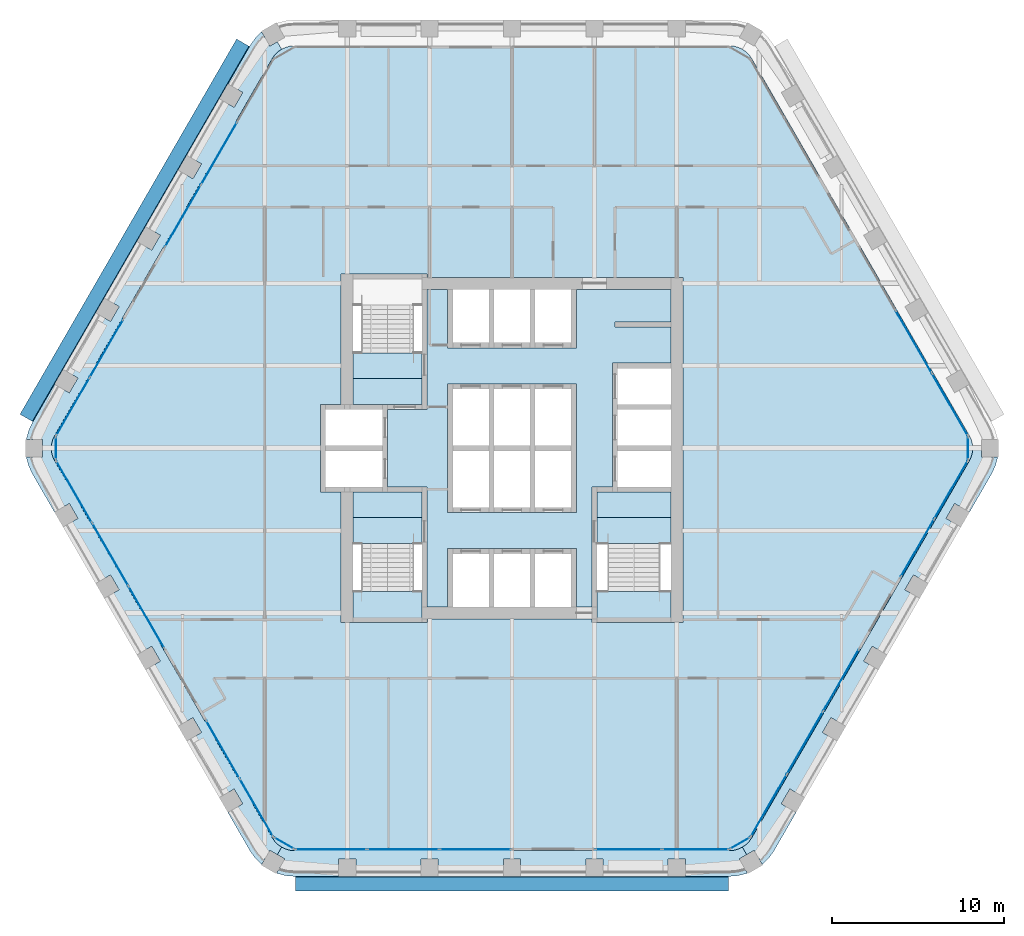
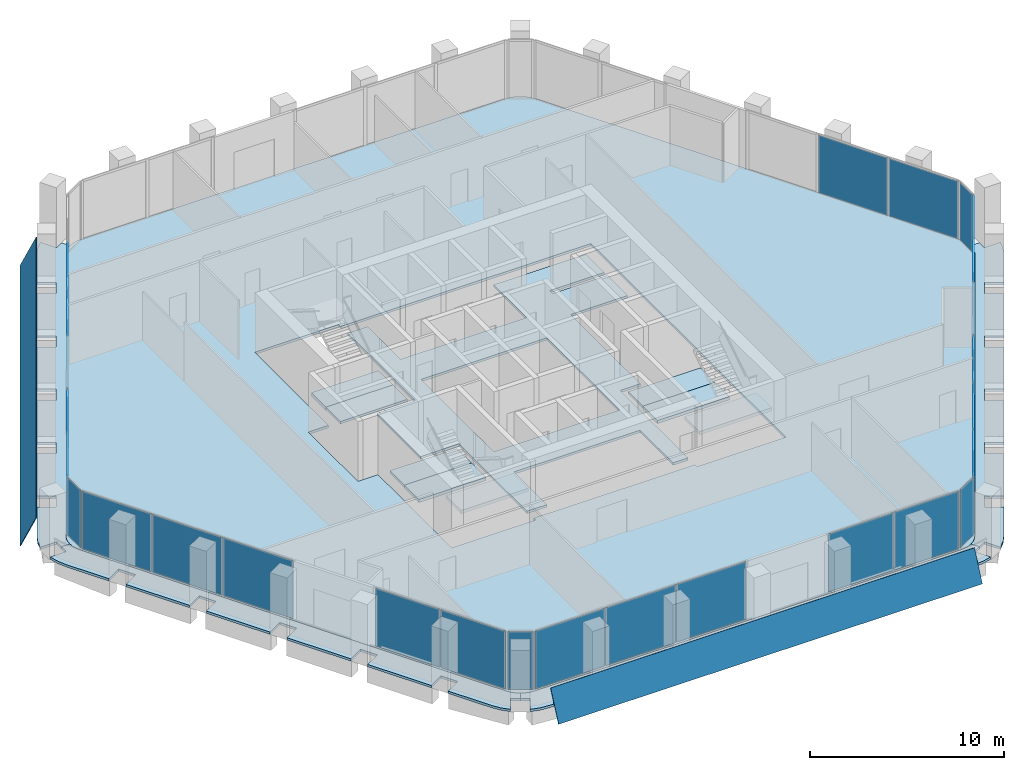
# One storey, part 7 of 15: 27 plates, 14 slabs, 16 elements without a shape of their own.
"""IFC4 building model written with IfcOpenShell, lengths in metres."""

from ifc_helpers import new_model, si_unit, direction, frame, origin, origin_2d, place, context, subcontext, project, spatial, polyline, rectangle, outline, extrude, material, layer, layer_set, type_object, element, aggregate, save


model = new_model("IFC4")

# Units and contexts
model_context = context("Model", 3, precision=1e-05, world=origin(), true_north=direction((0.0, 1.0)))
body_context = subcontext(model_context, "Body", "Model", "MODEL_VIEW")
ifc_project = project(units=[si_unit("LENGTHUNIT", "METRE"), si_unit("AREAUNIT", "SQUARE_METRE"), si_unit("VOLUMEUNIT", "CUBIC_METRE"), si_unit("PLANEANGLEUNIT", "RADIAN"), si_unit("MASSUNIT", "GRAM", prefix="KILO")], contexts=[model_context])

# Site, building, storey
site_placement = place(None, origin())
site = spatial("IfcSite", under=ifc_project, at=site_placement, CompositionType="ELEMENT")
building_placement = place(site_placement, origin())
building = spatial("IfcBuilding", under=site, at=building_placement, Name="Kolab Exchange Tower", CompositionType="ELEMENT")
storey_placement = place(building_placement, frame((0.0, 0.0, 154.39990234375)))
storey = spatial("IfcBuildingStorey", under=building, at=storey_placement, Name="L31", CompositionType="ELEMENT", Elevation=154.39990234375)

# Slabs
ifc_material_1 = material(Name="Concrete C35/45", Category="concrete")
ifc_layer_1 = layer(ifc_material_1, 0.14990234375)
ifc_layer_set_1 = layer_set([ifc_layer_1], Name="Concrete C35/45")
slab_type_1 = type_object("IfcSlabType", Name="FLOOR SLAB 150", PredefinedType="FLOOR", material=ifc_layer_set_1)
slab_1_placement = place(storey_placement, frame((0.0, 0.0, -0.14990234375)))
element("IfcSlab", 1, at=slab_1_placement, inside=storey, type_object=slab_type_1, Name="slab/L31/floor/0", PredefinedType="FLOOR", context=body_context, shape_type="SweptSolid", body=[
    extrude(outline(polyline([(13.967041015625, -22.691650390625), (26.635009765625, -0.75), (26.745361328125, -0.512939453125), (26.81298828125, -0.260498046875), (26.8359375, 0.0), (26.81298828125, 0.260498046875), (26.745361328125, 0.512939453125), (26.635009765625, 0.75), (13.967041015625, 22.691650390625), (13.81689453125, 22.90576171875), (13.632080078125, 23.090576171875), (13.41796875, 23.240478515625), (13.180908203125, 23.35107421875), (12.928466796875, 23.418701171875), (12.66796875, 23.441650390625), (-12.66796875, 23.441650390625), (-12.928466796875, 23.418701171875), (-13.180908203125, 23.35107421875), (-13.41796875, 23.240478515625), (-13.632080078125, 23.090576171875), (-13.81689453125, 22.90576171875), (-13.967041015625, 22.691650390625), (-26.635009765625, 0.75), (-26.745361328125, 0.512939453125), (-26.81298828125, 0.260498046875), (-26.8359375, 0.0), (-26.81298828125, -0.260498046875), (-26.745361328125, -0.512939453125), (-26.635009765625, -0.75), (-13.967041015625, -22.691650390625), (-13.81689453125, -22.90576171875), (-13.632080078125, -23.090576171875), (-13.41796875, -23.240478515625), (-13.180908203125, -23.35107421875), (-12.928466796875, -23.418701171875), (-12.66796875, -23.441650390625), (12.66796875, -23.441650390625), (12.928466796875, -23.418701171875), (13.180908203125, -23.35107421875), (13.41796875, -23.240478515625), (13.632080078125, -23.090576171875), (13.81689453125, -22.90576171875), (13.967041015625, -22.691650390625)]), holes=[polyline([(-9.25, -10.14990234375), (-9.949951171875, -10.14990234375), (-9.949951171875, -2.550048828125), (-10.85009765625, -2.550048828125), (-11.14990234375, -2.550048828125), (-11.14990234375, 2.550048828125), (-10.85009765625, 2.550048828125), (-9.949951171875, 2.550048828125), (-9.949951171875, 10.14990234375), (-9.25, 10.14990234375), (-5.25, 10.14990234375), (-4.949951171875, 10.14990234375), (-4.949951171875, 9.949951171875), (9.25, 9.949951171875), (9.949951171875, 9.949951171875), (9.949951171875, -10.14990234375), (9.25, -10.14990234375), (4.949951171875, -10.14990234375), (4.64990234375, -10.14990234375), (4.64990234375, -9.949951171875), (-4.949951171875, -9.949951171875), (-4.949951171875, -10.14990234375), (-5.25, -10.14990234375), (-9.25, -10.14990234375)])]), origin(), (0.0, 0.0, 1.0), 0.14990234375),
])
slab_2_placement = place(storey_placement, frame((0.0, 0.0, -0.14990234375)))
element("IfcSlab", 2, at=slab_2_placement, inside=storey, type_object=slab_type_1, Name="slab/L31/floor/1", PredefinedType="FLOOR", context=body_context, shape_type="SweptSolid", body=[
    extrude(outline(polyline([(-4.949951171875, 9.25), (-4.949951171875, 2.25), (-5.25, 2.25), (-7.25, 2.25), (-7.25, -2.25), (-5.25, -2.25), (-4.949951171875, -2.25), (-4.949951171875, -9.25), (-3.75, -9.25), (-3.75, -5.85009765625), (-3.449951171875, -5.85009765625), (-1.35009765625, -5.85009765625), (-1.050048828125, -5.85009765625), (1.050048828125, -5.85009765625), (1.35009765625, -5.85009765625), (3.449951171875, -5.85009765625), (3.75, -5.85009765625), (3.75, -9.25), (4.64990234375, -9.25), (4.64990234375, -2.25), (4.949951171875, -2.25), (5.85009765625, -2.25), (5.85009765625, 4.949951171875), (6.14990234375, 4.949951171875), (9.25, 4.949951171875), (9.25, 7.050048828125), (6.0, 7.050048828125), (6.0, 7.35009765625), (9.25, 7.35009765625), (9.25, 9.25), (3.75, 9.25), (3.75, 5.85009765625), (3.449951171875, 5.85009765625), (1.35009765625, 5.85009765625), (1.050048828125, 5.85009765625), (-1.050048828125, 5.85009765625), (-1.35009765625, 5.85009765625), (-3.449951171875, 5.85009765625), (-3.75, 5.85009765625), (-3.75, 9.25), (-4.949951171875, 9.25)]), holes=[polyline([(-3.449951171875, -3.75), (-3.75, -3.75), (-3.75, 3.75), (-3.449951171875, 3.75), (-1.35009765625, 3.75), (-1.050048828125, 3.75), (1.050048828125, 3.75), (1.35009765625, 3.75), (3.449951171875, 3.75), (3.75, 3.75), (3.75, -3.75), (3.449951171875, -3.75), (1.35009765625, -3.75), (1.050048828125, -3.75), (-1.050048828125, -3.75), (-1.35009765625, -3.75), (-3.449951171875, -3.75)])]), origin(), (0.0, 0.0, 1.0), 0.14990234375),
])
slab_3_placement = place(storey_placement, frame((0.0, 0.0, -0.14990234375)))
element("IfcSlab", 3, at=slab_3_placement, inside=storey, type_object=slab_type_1, Name="slab/L31/floor/2", PredefinedType="FLOOR", context=body_context, shape_type="SweptSolid", body=[
    extrude(outline(polyline([(4.949951171875, -4.050048828125), (9.25, -4.050048828125), (9.25, -2.550048828125), (6.14990234375, -2.550048828125), (5.85009765625, -2.550048828125), (4.949951171875, -2.550048828125), (4.949951171875, -4.050048828125)])), origin(), (0.0, 0.0, 1.0), 0.14990234375),
])
slab_4_placement = place(storey_placement, frame((0.0, 0.0, -0.14990234375)))
element("IfcSlab", 4, at=slab_4_placement, inside=storey, type_object=slab_type_1, Name="slab/L31/floor/3", PredefinedType="FLOOR", context=body_context, shape_type="SweptSolid", body=[
    extrude(outline(polyline([(-7.550048828125, -2.550048828125), (-9.25, -2.550048828125), (-9.25, -4.050048828125), (-5.25, -4.050048828125), (-5.25, -2.550048828125), (-7.25, -2.550048828125), (-7.550048828125, -2.550048828125)])), origin(), (0.0, 0.0, 1.0), 0.14990234375),
])
slab_5_placement = place(storey_placement, frame((0.0, 0.0, -0.14990234375)))
element("IfcSlab", 5, at=slab_5_placement, inside=storey, type_object=slab_type_1, Name="slab/L31/floor/4", PredefinedType="FLOOR", context=body_context, shape_type="SweptSolid", body=[
    extrude(outline(polyline([(-9.25, 2.550048828125), (-7.550048828125, 2.550048828125), (-7.25, 2.550048828125), (-5.25, 2.550048828125), (-5.25, 4.050048828125), (-9.25, 4.050048828125), (-9.25, 2.550048828125)])), origin(), (0.0, 0.0, 1.0), 0.14990234375),
])
ifc_layer_2 = layer(ifc_material_1, 0.14990234375)
ifc_layer_set_2 = layer_set([ifc_layer_2], Name="Concrete C35/45")
slab_type_2 = type_object("IfcSlabType", Name="LOGGIA SLAB 150", PredefinedType="FLOOR", material=ifc_layer_set_2)
slab_6_placement = place(storey_placement, frame((0.0, 0.0, -0.14990234375)))
element("IfcSlab", 6, at=slab_6_placement, inside=storey, type_object=slab_type_2, Name="slab/L31/loggia/2-0", PredefinedType="FLOOR", context=body_context, shape_type="SweptSolid", body=[
    extrude(outline(polyline([(15.26611328125, -23.441650390625), (16.550048828125, -21.217529296875), (15.68408203125, -20.717529296875), (16.18408203125, -19.8515625), (17.050048828125, -20.3515625), (18.949951171875, -17.060791015625), (18.083984375, -16.560791015625), (18.583984375, -15.694580078125), (19.449951171875, -16.194580078125), (21.35009765625, -12.90380859375), (20.48388671875, -12.40380859375), (20.98388671875, -11.537841796875), (21.85009765625, -12.037841796875), (23.75, -8.746826171875), (22.884033203125, -8.246826171875), (23.384033203125, -7.380859375), (24.25, -7.880859375), (26.14990234375, -4.58984375), (25.283935546875, -4.08984375), (25.783935546875, -3.223876953125), (26.64990234375, -3.723876953125), (27.93408203125, -1.5), (28.155029296875, -1.026123046875), (28.290283203125, -0.52099609375), (28.292236328125, -0.5), (27.3359375, -0.5), (27.3359375, 0.0), (26.8359375, 0.0), (26.81298828125, -0.260498046875), (26.745361328125, -0.512939453125), (26.635009765625, -0.75), (13.967041015625, -22.691650390625), (13.81689453125, -22.90576171875), (13.632080078125, -23.090576171875), (13.41796875, -23.240478515625), (13.66796875, -23.673583984375), (14.10107421875, -23.423583984375), (14.5791015625, -24.251708984375), (14.59619140625, -24.23974609375), (14.966064453125, -23.869873046875), (15.26611328125, -23.441650390625)])), origin(), (0.0, 0.0, 1.0), 0.14990234375),
])
slab_7_placement = place(storey_placement, frame((0.0, 0.0, -0.14990234375)))
element("IfcSlab", 7, at=slab_7_placement, inside=storey, type_object=slab_type_2, Name="slab/L31/loggia/3-0", PredefinedType="FLOOR", context=body_context, shape_type="SweptSolid", body=[
    extrude(outline(polyline([(-13.41796875, -23.240478515625), (-13.66796875, -23.673583984375), (-13.23486328125, -23.923583984375), (-13.713134765625, -24.751708984375), (-13.694091796875, -24.760498046875), (-13.18896484375, -24.89599609375), (-12.66796875, -24.941650390625), (-10.10009765625, -24.941650390625), (-10.10009765625, -23.941650390625), (-9.10009765625, -23.941650390625), (-9.10009765625, -24.941650390625), (-5.300048828125, -24.941650390625), (-5.300048828125, -23.941650390625), (-4.300048828125, -23.941650390625), (-4.300048828125, -24.941650390625), (-0.5, -24.941650390625), (-0.5, -23.941650390625), (0.5, -23.941650390625), (0.5, -24.941650390625), (4.300048828125, -24.941650390625), (4.300048828125, -23.941650390625), (5.300048828125, -23.941650390625), (5.300048828125, -24.941650390625), (9.10009765625, -24.941650390625), (9.10009765625, -23.941650390625), (10.10009765625, -23.941650390625), (10.10009765625, -24.941650390625), (12.66796875, -24.941650390625), (13.18896484375, -24.89599609375), (13.694091796875, -24.760498046875), (13.713134765625, -24.751708984375), (13.23486328125, -23.923583984375), (13.66796875, -23.673583984375), (13.41796875, -23.240478515625), (13.180908203125, -23.35107421875), (12.928466796875, -23.418701171875), (12.66796875, -23.441650390625), (-12.66796875, -23.441650390625), (-12.928466796875, -23.418701171875), (-13.180908203125, -23.35107421875), (-13.41796875, -23.240478515625)])), origin(), (0.0, 0.0, 1.0), 0.14990234375),
])
slab_8_placement = place(storey_placement, frame((0.0, 0.0, -0.14990234375)))
element("IfcSlab", 8, at=slab_8_placement, inside=storey, type_object=slab_type_2, Name="slab/L31/loggia/4-0", PredefinedType="FLOOR", context=body_context, shape_type="SweptSolid", body=[
    extrude(outline(polyline([(-26.8359375, 0.0), (-27.3359375, 0.0), (-27.3359375, -0.5), (-28.292236328125, -0.5), (-28.290283203125, -0.52099609375), (-28.155029296875, -1.026123046875), (-27.93408203125, -1.5), (-26.64990234375, -3.723876953125), (-25.783935546875, -3.223876953125), (-25.283935546875, -4.08984375), (-26.14990234375, -4.58984375), (-24.25, -7.880859375), (-23.384033203125, -7.380859375), (-22.884033203125, -8.246826171875), (-23.75, -8.746826171875), (-21.85009765625, -12.037841796875), (-20.98388671875, -11.537841796875), (-20.48388671875, -12.40380859375), (-21.35009765625, -12.90380859375), (-19.449951171875, -16.194580078125), (-18.583984375, -15.694580078125), (-18.083984375, -16.560791015625), (-18.949951171875, -17.060791015625), (-17.050048828125, -20.3515625), (-16.18408203125, -19.8515625), (-15.68408203125, -20.717529296875), (-16.550048828125, -21.217529296875), (-15.26611328125, -23.441650390625), (-14.966064453125, -23.869873046875), (-14.59619140625, -24.23974609375), (-14.5791015625, -24.251708984375), (-14.10107421875, -23.423583984375), (-13.66796875, -23.673583984375), (-13.41796875, -23.240478515625), (-13.632080078125, -23.090576171875), (-13.81689453125, -22.90576171875), (-13.967041015625, -22.691650390625), (-26.635009765625, -0.75), (-26.745361328125, -0.512939453125), (-26.81298828125, -0.260498046875), (-26.8359375, 0.0)])), origin(), (0.0, 0.0, 1.0), 0.14990234375),
])
slab_9_placement = place(storey_placement, frame((0.0, 0.0, -0.14990234375)))
element("IfcSlab", 9, at=slab_9_placement, inside=storey, type_object=slab_type_2, Name="slab/L31/loggia/5-0", PredefinedType="FLOOR", context=body_context, shape_type="SweptSolid", body=[
    extrude(outline(polyline([(-13.41796875, 23.240478515625), (-13.66796875, 23.673583984375), (-14.10107421875, 23.423583984375), (-14.5791015625, 24.251708984375), (-14.59619140625, 24.23974609375), (-14.966064453125, 23.869873046875), (-15.26611328125, 23.441650390625), (-16.550048828125, 21.217529296875), (-15.68408203125, 20.717529296875), (-16.18408203125, 19.8515625), (-17.050048828125, 20.3515625), (-18.949951171875, 17.060791015625), (-18.083984375, 16.560791015625), (-18.583984375, 15.694580078125), (-19.449951171875, 16.194580078125), (-21.35009765625, 12.90380859375), (-20.48388671875, 12.40380859375), (-20.98388671875, 11.537841796875), (-21.85009765625, 12.037841796875), (-23.75, 8.746826171875), (-22.884033203125, 8.246826171875), (-23.384033203125, 7.380859375), (-24.25, 7.880859375), (-26.14990234375, 4.58984375), (-25.283935546875, 4.08984375), (-25.783935546875, 3.223876953125), (-26.64990234375, 3.723876953125), (-27.93408203125, 1.5), (-28.155029296875, 1.026123046875), (-28.290283203125, 0.52099609375), (-28.292236328125, 0.5), (-27.3359375, 0.5), (-27.3359375, 0.0), (-26.8359375, 0.0), (-26.81298828125, 0.260498046875), (-26.745361328125, 0.512939453125), (-26.635009765625, 0.75), (-13.967041015625, 22.691650390625), (-13.81689453125, 22.90576171875), (-13.632080078125, 23.090576171875), (-13.41796875, 23.240478515625)])), origin(), (0.0, 0.0, 1.0), 0.14990234375),
])

# Plates
ifc_material_2 = material(Name="Laminated glass, clear", Category="glass")
ifc_layer_3 = layer(ifc_material_2, 0.0400390625)
ifc_layer_set_3 = layer_set([ifc_layer_3], Name="Laminated glass, clear")
plate_type_1 = type_object("IfcPlateType", Name="OUTER SKIN LAMINATED GLASS SHEET 40", PredefinedType="SHEET", material=ifc_layer_set_3)
plate_1_placement = place(storey_placement, frame((12.617919921875, -25.806640625, -0.68310546875), z_axis=(0.0, -0.906316657655, 0.422599238118), x_axis=(-1.0, 0.0, 0.0)))
element("IfcPlate", 10, at=plate_1_placement, inside=storey, type_object=plate_type_1, Name="Outer skin", PredefinedType="SHEET", context=body_context, shape_type="SweptSolid", body=[
    extrude(outline(polyline([(0.0, 0.0), (25.23583984375, 0.0), (25.23583984375, -1.961332030711248), (0.0, -1.961332030711248), (0.0, 0.0)])), origin(), (0.0, 0.0, -1.0), 0.0400390625),
])
plate_2_placement = place(storey_placement, frame((-28.658203125, 1.975830078125, -0.68310546875), z_axis=(-0.784898656704, 0.453161865271, 0.422585402693), x_axis=(0.499999968995, 0.866025421685, -9.26315e-07)))
element("IfcPlate", 11, at=plate_2_placement, inside=storey, type_object=plate_type_1, Name="Outer skin", PredefinedType="SHEET", context=body_context, shape_type="SweptSolid", body=[
    extrude(outline(polyline([(0.0, 0.0), (25.23592824607872, 0.0), (25.23580178082614, -1.96134386267648), (8.496673513263058e-05, -1.9612922777250188), (0.0, 0.0)])), origin(), (0.0, 0.0, -1.0), 0.0400390625),
])

# Stair, slab
ifc_material_3 = material(Name="Concrete C50/60", Category="concrete")
stair_type_1 = type_object("IfcStairType", Name="STAIR ST1 RISER 177.3", PredefinedType="HALF_TURN_STAIR", material=ifc_material_3)
stair_1_placement = place(storey_placement, origin())
stair_1 = element("IfcStair", 12, at=stair_1_placement, inside=storey, type_object=stair_type_1, Name="Stair 1", PredefinedType="HALF_TURN_STAIR")
ifc_layer_4 = layer(ifc_material_3, 0.199951171875)
ifc_layer_set_4 = layer_set([ifc_layer_4], Name="Concrete C50/60")
slab_type_3 = type_object("IfcSlabType", Name="STAIR LANDING 200", PredefinedType="LANDING", material=ifc_layer_set_4)
slab_10_placement = place(storey_placement, frame((0.0, 0.0, -0.199951171875)))
slab_10 = element("IfcSlab", 13, at=slab_10_placement, type_object=slab_type_3, Name="ST1 landing 1", PredefinedType="LANDING", context=body_context, shape_type="SweptSolid", body=[
    extrude(outline(polyline([(-9.25, 4.050048828125), (-5.25, 4.050048828125), (-5.25, 5.550048828125), (-9.25, 5.550048828125), (-9.25, 4.050048828125)])), origin(), (0.0, 0.0, 1.0), 0.199951171875),
])
aggregate(stair_1, [slab_10])

# Stair, slabs
stair_type_2 = type_object("IfcStairType", Name="STAIR ST3 RISER 177.3", PredefinedType="HALF_TURN_STAIR", material=ifc_material_3)
stair_2_placement = place(storey_placement, origin())
stair_2 = element("IfcStair", 14, at=stair_2_placement, inside=storey, type_object=stair_type_2, Name="Stair 3", PredefinedType="HALF_TURN_STAIR")
slab_11_placement = place(storey_placement, frame((0.0, 0.0, -0.199951171875)))
slab_11 = element("IfcSlab", 15, at=slab_11_placement, type_object=slab_type_3, Name="ST3 landing 1", PredefinedType="LANDING", context=body_context, shape_type="SweptSolid", body=[
    extrude(outline(polyline([(-9.25, -5.550048828125), (-5.25, -5.550048828125), (-5.25, -4.050048828125), (-9.25, -4.050048828125), (-9.25, -5.550048828125)])), origin(), (0.0, 0.0, 1.0), 0.199951171875),
])
slab_12_placement = place(storey_placement, frame((0.0, 0.0, 1.75)))
slab_12 = element("IfcSlab", 16, at=slab_12_placement, type_object=slab_type_3, Name="ST3 landing 2", PredefinedType="LANDING", context=body_context, shape_type="SweptSolid", body=[
    extrude(outline(polyline([(-9.25, -9.909912109375), (-5.25, -9.909912109375), (-5.25, -8.35009765625), (-9.25, -8.35009765625), (-9.25, -9.909912109375)])), origin(), (0.0, 0.0, 1.0), 0.2001953125),
])
aggregate(stair_2, [slab_11, slab_12])

stair_type_3 = type_object("IfcStairType", Name="STAIR ST2 RISER 177.3", PredefinedType="HALF_TURN_STAIR", material=ifc_material_3)
stair_3_placement = place(storey_placement, origin())
stair_3 = element("IfcStair", 17, at=stair_3_placement, inside=storey, type_object=stair_type_3, Name="Stair 2", PredefinedType="HALF_TURN_STAIR")
slab_13_placement = place(storey_placement, frame((0.0, 0.0, -0.199951171875)))
slab_13 = element("IfcSlab", 18, at=slab_13_placement, type_object=slab_type_3, Name="ST2 landing 1", PredefinedType="LANDING", context=body_context, shape_type="SweptSolid", body=[
    extrude(outline(polyline([(4.949951171875, -5.550048828125), (9.25, -5.550048828125), (9.25, -4.050048828125), (4.949951171875, -4.050048828125), (4.949951171875, -5.550048828125)])), origin(), (0.0, 0.0, 1.0), 0.199951171875),
])
slab_14_placement = place(storey_placement, frame((0.0, 0.0, 1.75)))
slab_14 = element("IfcSlab", 19, at=slab_14_placement, type_object=slab_type_3, Name="ST2 landing 2", PredefinedType="LANDING", context=body_context, shape_type="SweptSolid", body=[
    extrude(outline(polyline([(4.949951171875, -9.909912109375), (9.25, -9.909912109375), (9.25, -8.35009765625), (4.949951171875, -8.35009765625), (4.949951171875, -9.909912109375)])), origin(), (0.0, 0.0, 1.0), 0.2001953125),
])
aggregate(stair_3, [slab_13, slab_14])

# Curtain wall, plates
ifc_material_4 = material(Name="Aluminium EN AW-6063 T6", Category="aluminium")
curtain_wall_type = type_object("IfcCurtainWallType", Name="UNITISED UPPER MID ZONE CURTAIN WALL", PredefinedType="NOTDEFINED", material=ifc_material_4)
curtain_wall_1_placement = place(storey_placement, origin())
curtain_wall_1 = element("IfcCurtainWall", 20, at=curtain_wall_1_placement, inside=storey, type_object=curtain_wall_type, Name="cw/L31/F2-2", PredefinedType="NOTDEFINED")
ifc_material_5 = material(Name="Clear insulated glazing unit", Category="glass")
ifc_layer_5 = layer(ifc_material_5, 0.028076171875)
ifc_layer_set_5 = layer_set([ifc_layer_5], Name="Clear insulated glazing unit")
plate_type_2 = type_object("IfcPlateType", Name="UNITISED UPPER MID ZONE GLASS PANEL 28", PredefinedType="CURTAIN_PANEL", material=ifc_layer_set_5)
plate_3_placement = place(storey_placement, frame((23.398681640625, 6.1953125, 0.06005859375), z_axis=(0.0, 0.0, 1.0), x_axis=(0.499999958358, -0.866025427826, 0.0)))
plate_3 = element("IfcPlate", 21, at=plate_3_placement, type_object=plate_type_2, Name="CW3 panel 2.1", PredefinedType="CURTAIN_PANEL", context=body_context, shape_type="SweptSolid", body=[
    extrude(rectangle(XDim=4.16259765625, YDim=0.028076171875, at=origin_2d()), origin(), (0.0, 0.0, 1.0), 3.6298828125),
])
plate_4_placement = place(storey_placement, frame((25.50244140625, 2.551513671875, 0.06005859375), z_axis=(0.0, 0.0, 1.0), x_axis=(0.499999958358, -0.866025427826, 0.0)))
plate_4 = element("IfcPlate", 22, at=plate_4_placement, type_object=plate_type_2, Name="CW3 panel 3.1", PredefinedType="CURTAIN_PANEL", context=body_context, shape_type="SweptSolid", body=[
    extrude(rectangle(XDim=4.132568359375, YDim=0.028076171875, at=origin_2d()), origin(), (0.0, 0.0, 1.0), 3.6298828125),
])
aggregate(curtain_wall_1, [plate_3, plate_4])

curtain_wall_2_placement = place(storey_placement, origin())
curtain_wall_2 = element("IfcCurtainWall", 23, at=curtain_wall_2_placement, inside=storey, type_object=curtain_wall_type, Name="cw/L31/F3-1", PredefinedType="NOTDEFINED")
plate_5_placement = place(storey_placement, frame((25.57470703125, -2.426513671875, 0.06005859375), z_axis=(0.0, 0.0, 1.0), x_axis=(-0.499999936366, -0.866025440524, 0.0)))
plate_5 = element("IfcPlate", 24, at=plate_5_placement, type_object=plate_type_2, Name="CW3 panel 1.1", PredefinedType="CURTAIN_PANEL", context=body_context, shape_type="SweptSolid", body=[
    extrude(rectangle(XDim=3.843994140625, YDim=0.028076171875, at=origin_2d()), origin(), (0.0, 0.0, 1.0), 3.6298828125),
])
plate_6_placement = place(storey_placement, frame((23.62255859375, -5.807373046875, 0.06005859375), z_axis=(0.0, 0.0, 1.0), x_axis=(-0.499999936366, -0.866025440524, 0.0)))
plate_6 = element("IfcPlate", 25, at=plate_6_placement, type_object=plate_type_2, Name="CW3 panel 2.1", PredefinedType="CURTAIN_PANEL", context=body_context, shape_type="SweptSolid", body=[
    extrude(rectangle(XDim=3.843994140625, YDim=0.028076171875, at=origin_2d()), origin(), (0.0, 0.0, 1.0), 3.6298828125),
])
aggregate(curtain_wall_2, [plate_5, plate_6])

curtain_wall_3_placement = place(storey_placement, origin())
curtain_wall_3 = element("IfcCurtainWall", 26, at=curtain_wall_3_placement, inside=storey, type_object=curtain_wall_type, Name="cw/L31/F3-2", PredefinedType="NOTDEFINED")
plate_7_placement = place(storey_placement, frame((19.16845703125, -13.522216796875, 0.06005859375), z_axis=(0.0, 0.0, 1.0), x_axis=(-0.500000017564, -0.866025393644, 0.0)))
plate_7 = element("IfcPlate", 27, at=plate_7_placement, type_object=plate_type_2, Name="CW3 panel 1.1", PredefinedType="CURTAIN_PANEL", context=body_context, shape_type="SweptSolid", body=[
    extrude(rectangle(XDim=4.132568359375, YDim=0.028076171875, at=origin_2d()), origin(), (0.0, 0.0, 1.0), 3.6298828125),
])
plate_8_placement = place(storey_placement, frame((17.064697265625, -17.166259765625, 0.06005859375), z_axis=(0.0, 0.0, 1.0), x_axis=(-0.500000017564, -0.866025393644, 0.0)))
plate_8 = element("IfcPlate", 28, at=plate_8_placement, type_object=plate_type_2, Name="CW3 panel 2.1", PredefinedType="CURTAIN_PANEL", context=body_context, shape_type="SweptSolid", body=[
    extrude(rectangle(XDim=4.16259765625, YDim=0.028076171875, at=origin_2d()), origin(), (0.0, 0.0, 1.0), 3.6298828125),
])
plate_9_placement = place(storey_placement, frame((14.9609375, -20.81005859375, 0.06005859375), z_axis=(0.0, 0.0, 1.0), x_axis=(-0.500000017564, -0.866025393644, 0.0)))
plate_9 = element("IfcPlate", 29, at=plate_9_placement, type_object=plate_type_2, Name="CW3 panel 3.1", PredefinedType="CURTAIN_PANEL", context=body_context, shape_type="SweptSolid", body=[
    extrude(rectangle(XDim=4.132568359375, YDim=0.028076171875, at=origin_2d()), origin(), (0.0, 0.0, 1.0), 3.6298828125),
])
aggregate(curtain_wall_3, [plate_7, plate_8, plate_9])

curtain_wall_4_placement = place(storey_placement, origin())
curtain_wall_4 = element("IfcCurtainWall", 30, at=curtain_wall_4_placement, inside=storey, type_object=curtain_wall_type, Name="cw/L31/F4-1", PredefinedType="NOTDEFINED")
plate_10_placement = place(storey_placement, frame((10.68603515625, -23.361572265625, 0.06005859375), z_axis=(0.0, 0.0, 1.0), x_axis=(-1.0, 0.0, 0.0)))
plate_10 = element("IfcPlate", 31, at=plate_10_placement, type_object=plate_type_2, Name="CW3 panel 1.1", PredefinedType="CURTAIN_PANEL", context=body_context, shape_type="SweptSolid", body=[
    extrude(rectangle(XDim=3.843994140625, YDim=0.028076171875, at=origin_2d()), origin(), (0.0, 0.0, 1.0), 3.6298828125),
])
plate_11_placement = place(storey_placement, frame((6.781982421875, -23.361572265625, 0.06005859375), z_axis=(0.0, 0.0, 1.0), x_axis=(-1.0, 0.0, 0.0)))
plate_11 = element("IfcPlate", 32, at=plate_11_placement, type_object=plate_type_2, Name="CW3 panel 2.1", PredefinedType="CURTAIN_PANEL", context=body_context, shape_type="SweptSolid", body=[
    extrude(rectangle(XDim=3.843994140625, YDim=0.028076171875, at=origin_2d()), origin(), (0.0, 0.0, 1.0), 3.6298828125),
])
aggregate(curtain_wall_4, [plate_10, plate_11])

curtain_wall_5_placement = place(storey_placement, origin())
curtain_wall_5 = element("IfcCurtainWall", 33, at=curtain_wall_5_placement, inside=storey, type_object=curtain_wall_type, Name="cw/L31/F4-2", PredefinedType="NOTDEFINED")
plate_12_placement = place(storey_placement, frame((-2.126220703125, -23.361572265625, 0.06005859375), z_axis=(0.0, 0.0, 1.0), x_axis=(-1.0, 0.0, 0.0)))
plate_12 = element("IfcPlate", 34, at=plate_12_placement, type_object=plate_type_2, Name="CW3 panel 1.1", PredefinedType="CURTAIN_PANEL", context=body_context, shape_type="SweptSolid", body=[
    extrude(rectangle(XDim=4.132568359375, YDim=0.028076171875, at=origin_2d()), origin(), (0.0, 0.0, 1.0), 3.6298828125),
])
plate_13_placement = place(storey_placement, frame((-6.333984375, -23.361572265625, 0.06005859375), z_axis=(0.0, 0.0, 1.0), x_axis=(-1.0, 0.0, 0.0)))
plate_13 = element("IfcPlate", 35, at=plate_13_placement, type_object=plate_type_2, Name="CW3 panel 2.1", PredefinedType="CURTAIN_PANEL", context=body_context, shape_type="SweptSolid", body=[
    extrude(rectangle(XDim=4.16259765625, YDim=0.028076171875, at=origin_2d()), origin(), (0.0, 0.0, 1.0), 3.6298828125),
])
plate_14_placement = place(storey_placement, frame((-10.54150390625, -23.361572265625, 0.06005859375), z_axis=(0.0, 0.0, 1.0), x_axis=(-1.0, 0.0, 0.0)))
plate_14 = element("IfcPlate", 36, at=plate_14_placement, type_object=plate_type_2, Name="CW3 panel 3.1", PredefinedType="CURTAIN_PANEL", context=body_context, shape_type="SweptSolid", body=[
    extrude(rectangle(XDim=4.132568359375, YDim=0.028076171875, at=origin_2d()), origin(), (0.0, 0.0, 1.0), 3.6298828125),
])
aggregate(curtain_wall_5, [plate_12, plate_13, plate_14])

curtain_wall_6_placement = place(storey_placement, origin())
curtain_wall_6 = element("IfcCurtainWall", 37, at=curtain_wall_6_placement, inside=storey, type_object=curtain_wall_type, Name="cw/L31/F5-1", PredefinedType="NOTDEFINED")
plate_15_placement = place(storey_placement, frame((-14.888671875, -20.93505859375, 0.06005859375), z_axis=(0.0, 0.0, 1.0), x_axis=(-0.500000031681, 0.866025385493, 0.0)))
plate_15 = element("IfcPlate", 38, at=plate_15_placement, type_object=plate_type_2, Name="CW3 panel 1.1", PredefinedType="CURTAIN_PANEL", context=body_context, shape_type="SweptSolid", body=[
    extrude(rectangle(XDim=3.843994140625, YDim=0.028076171875, at=origin_2d()), origin(), (0.0, 0.0, 1.0), 3.6298828125),
])
plate_16_placement = place(storey_placement, frame((-16.840576171875, -17.55419921875, 0.06005859375), z_axis=(0.0, 0.0, 1.0), x_axis=(-0.500000031681, 0.866025385493, 0.0)))
plate_16 = element("IfcPlate", 39, at=plate_16_placement, type_object=plate_type_2, Name="CW3 panel 2.1", PredefinedType="CURTAIN_PANEL", context=body_context, shape_type="SweptSolid", body=[
    extrude(rectangle(XDim=3.843994140625, YDim=0.028076171875, at=origin_2d()), origin(), (0.0, 0.0, 1.0), 3.6298828125),
])
aggregate(curtain_wall_6, [plate_15, plate_16])

curtain_wall_7_placement = place(storey_placement, origin())
curtain_wall_7 = element("IfcCurtainWall", 40, at=curtain_wall_7_placement, inside=storey, type_object=curtain_wall_type, Name="cw/L31/F5-2", PredefinedType="NOTDEFINED")
plate_17_placement = place(storey_placement, frame((-21.294921875, -9.83935546875, 0.06005859375), z_axis=(0.0, 0.0, 1.0), x_axis=(-0.499999958358, 0.866025427826, 0.0)))
plate_17 = element("IfcPlate", 41, at=plate_17_placement, type_object=plate_type_2, Name="CW3 panel 1.1", PredefinedType="CURTAIN_PANEL", context=body_context, shape_type="SweptSolid", body=[
    extrude(rectangle(XDim=4.132568359375, YDim=0.028076171875, at=origin_2d()), origin(), (0.0, 0.0, 1.0), 3.6298828125),
])
plate_18_placement = place(storey_placement, frame((-23.398681640625, -6.1953125, 0.06005859375), z_axis=(0.0, 0.0, 1.0), x_axis=(-0.499999958358, 0.866025427826, 0.0)))
plate_18 = element("IfcPlate", 42, at=plate_18_placement, type_object=plate_type_2, Name="CW3 panel 2.1", PredefinedType="CURTAIN_PANEL", context=body_context, shape_type="SweptSolid", body=[
    extrude(rectangle(XDim=4.16259765625, YDim=0.028076171875, at=origin_2d()), origin(), (0.0, 0.0, 1.0), 3.6298828125),
])
plate_19_placement = place(storey_placement, frame((-25.50244140625, -2.551513671875, 0.06005859375), z_axis=(0.0, 0.0, 1.0), x_axis=(-0.499999958358, 0.866025427826, 0.0)))
plate_19 = element("IfcPlate", 43, at=plate_19_placement, type_object=plate_type_2, Name="CW3 panel 3.1", PredefinedType="CURTAIN_PANEL", context=body_context, shape_type="SweptSolid", body=[
    extrude(rectangle(XDim=4.132568359375, YDim=0.028076171875, at=origin_2d()), origin(), (0.0, 0.0, 1.0), 3.6298828125),
])
aggregate(curtain_wall_7, [plate_17, plate_18, plate_19])

curtain_wall_8_placement = place(storey_placement, origin())
curtain_wall_8 = element("IfcCurtainWall", 44, at=curtain_wall_8_placement, inside=storey, type_object=curtain_wall_type, Name="cw/L31/F6-1", PredefinedType="NOTDEFINED")
plate_20_placement = place(storey_placement, frame((-25.57470703125, 2.426513671875, 0.06005859375), z_axis=(0.0, 0.0, 1.0), x_axis=(0.499999936366, 0.866025440524, 0.0)))
plate_20 = element("IfcPlate", 45, at=plate_20_placement, type_object=plate_type_2, Name="CW3 panel 1.1", PredefinedType="CURTAIN_PANEL", context=body_context, shape_type="SweptSolid", body=[
    extrude(rectangle(XDim=3.843994140625, YDim=0.028076171875, at=origin_2d()), origin(), (0.0, 0.0, 1.0), 3.6298828125),
])
plate_21_placement = place(storey_placement, frame((-23.62255859375, 5.807373046875, 0.06005859375), z_axis=(0.0, 0.0, 1.0), x_axis=(0.499999936366, 0.866025440524, 0.0)))
plate_21 = element("IfcPlate", 46, at=plate_21_placement, type_object=plate_type_2, Name="CW3 panel 2.1", PredefinedType="CURTAIN_PANEL", context=body_context, shape_type="SweptSolid", body=[
    extrude(rectangle(XDim=3.843994140625, YDim=0.028076171875, at=origin_2d()), origin(), (0.0, 0.0, 1.0), 3.6298828125),
])
aggregate(curtain_wall_8, [plate_20, plate_21])

curtain_wall_9_placement = place(storey_placement, origin())
curtain_wall_9 = element("IfcCurtainWall", 47, at=curtain_wall_9_placement, inside=storey, type_object=curtain_wall_type, Name="cw/L31/F6-2", PredefinedType="NOTDEFINED")
plate_22_placement = place(storey_placement, frame((-19.16845703125, 13.522216796875, 0.06005859375), z_axis=(0.0, 0.0, 1.0), x_axis=(0.500000017564, 0.866025393644, 0.0)))
plate_22 = element("IfcPlate", 48, at=plate_22_placement, type_object=plate_type_2, Name="CW3 panel 1.1", PredefinedType="CURTAIN_PANEL", context=body_context, shape_type="SweptSolid", body=[
    extrude(rectangle(XDim=4.132568359375, YDim=0.028076171875, at=origin_2d()), origin(), (0.0, 0.0, 1.0), 3.6298828125),
])
plate_23_placement = place(storey_placement, frame((-17.064697265625, 17.166259765625, 0.06005859375), z_axis=(0.0, 0.0, 1.0), x_axis=(0.500000017564, 0.866025393644, 0.0)))
plate_23 = element("IfcPlate", 49, at=plate_23_placement, type_object=plate_type_2, Name="CW3 panel 2.1", PredefinedType="CURTAIN_PANEL", context=body_context, shape_type="SweptSolid", body=[
    extrude(rectangle(XDim=4.16259765625, YDim=0.028076171875, at=origin_2d()), origin(), (0.0, 0.0, 1.0), 3.6298828125),
])
aggregate(curtain_wall_9, [plate_22, plate_23])

# Curtain wall, plate
curtain_wall_10_placement = place(storey_placement, origin())
curtain_wall_10 = element("IfcCurtainWall", 50, at=curtain_wall_10_placement, inside=storey, type_object=curtain_wall_type, Name="cw/L31/F2F3-corner", PredefinedType="NOTDEFINED")
plate_24_placement = place(storey_placement, frame((26.565673828125, 0.0, 0.06005859375), z_axis=(0.0, 0.0, 1.0), x_axis=(0.0, -1.0, 0.0)))
plate_24 = element("IfcPlate", 51, at=plate_24_placement, type_object=plate_type_2, Name="CW3 panel 1.1", PredefinedType="CURTAIN_PANEL", context=body_context, shape_type="SweptSolid", body=[
    extrude(rectangle(XDim=1.300048828125, YDim=0.028076171875, at=origin_2d()), origin(), (0.0, 0.0, 1.0), 3.6298828125),
])
aggregate(curtain_wall_10, [plate_24])

curtain_wall_11_placement = place(storey_placement, origin())
curtain_wall_11 = element("IfcCurtainWall", 52, at=curtain_wall_11_placement, inside=storey, type_object=curtain_wall_type, Name="cw/L31/F3F4-corner", PredefinedType="NOTDEFINED")
plate_25_placement = place(storey_placement, frame((13.28271484375, -23.006591796875, 0.06005859375), z_axis=(0.0, 0.0, 1.0), x_axis=(-0.866025390869, -0.50000002237, 0.0)))
plate_25 = element("IfcPlate", 53, at=plate_25_placement, type_object=plate_type_2, Name="CW3 panel 1.1", PredefinedType="CURTAIN_PANEL", context=body_context, shape_type="SweptSolid", body=[
    extrude(rectangle(XDim=1.300048828125, YDim=0.028076171875, at=origin_2d()), origin(), (0.0, 0.0, 1.0), 3.6298828125),
])
aggregate(curtain_wall_11, [plate_25])

curtain_wall_12_placement = place(storey_placement, origin())
curtain_wall_12 = element("IfcCurtainWall", 54, at=curtain_wall_12_placement, inside=storey, type_object=curtain_wall_type, Name="cw/L31/F4F5-corner", PredefinedType="NOTDEFINED")
plate_26_placement = place(storey_placement, frame((-13.28271484375, -23.006591796875, 0.06005859375), z_axis=(0.0, 0.0, 1.0), x_axis=(-0.866025390869, 0.50000002237, 0.0)))
plate_26 = element("IfcPlate", 55, at=plate_26_placement, type_object=plate_type_2, Name="CW3 panel 1.1", PredefinedType="CURTAIN_PANEL", context=body_context, shape_type="SweptSolid", body=[
    extrude(rectangle(XDim=1.300048828125, YDim=0.028076171875, at=origin_2d()), origin(), (0.0, 0.0, 1.0), 3.6298828125),
])
aggregate(curtain_wall_12, [plate_26])

curtain_wall_13_placement = place(storey_placement, origin())
curtain_wall_13 = element("IfcCurtainWall", 56, at=curtain_wall_13_placement, inside=storey, type_object=curtain_wall_type, Name="cw/L31/F5F6-corner", PredefinedType="NOTDEFINED")
plate_27_placement = place(storey_placement, frame((-26.565673828125, 0.0, 0.06005859375), z_axis=(0.0, 0.0, 1.0), x_axis=(0.0, 1.0, 0.0)))
plate_27 = element("IfcPlate", 57, at=plate_27_placement, type_object=plate_type_2, Name="CW3 panel 1.1", PredefinedType="CURTAIN_PANEL", context=body_context, shape_type="SweptSolid", body=[
    extrude(rectangle(XDim=1.300048828125, YDim=0.028076171875, at=origin_2d()), origin(), (0.0, 0.0, 1.0), 3.6298828125),
])
aggregate(curtain_wall_13, [plate_27])

save(model, "model.ifc")
